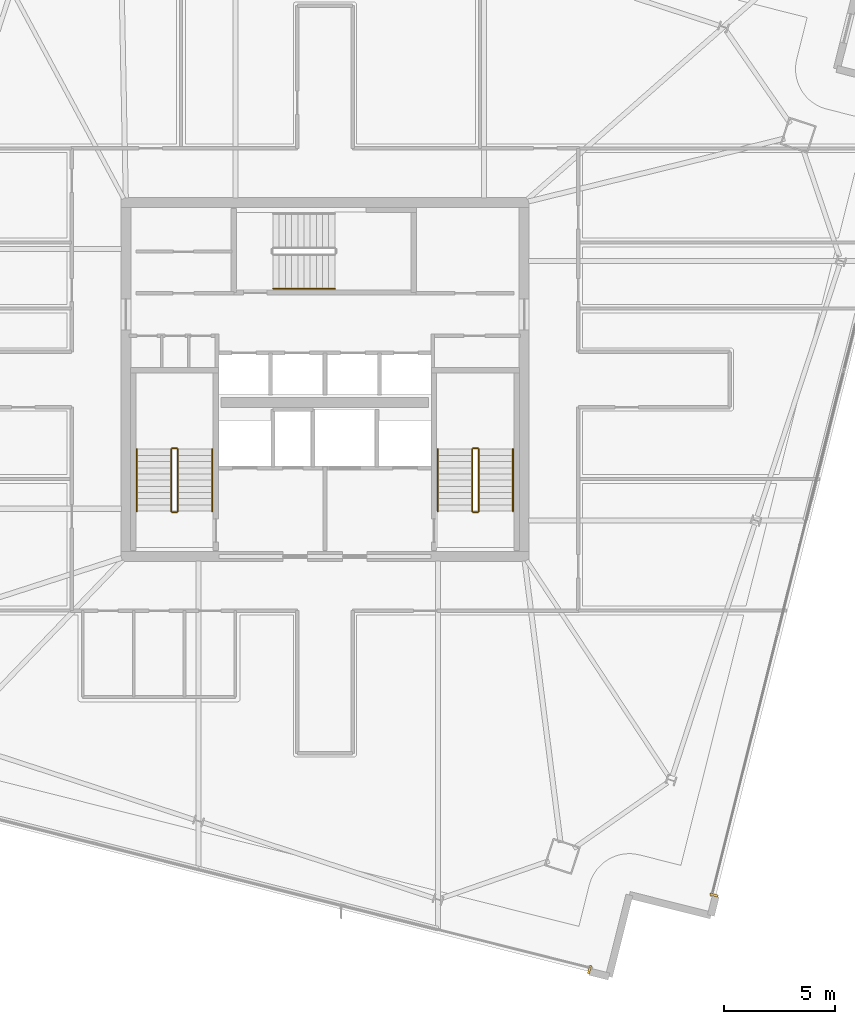
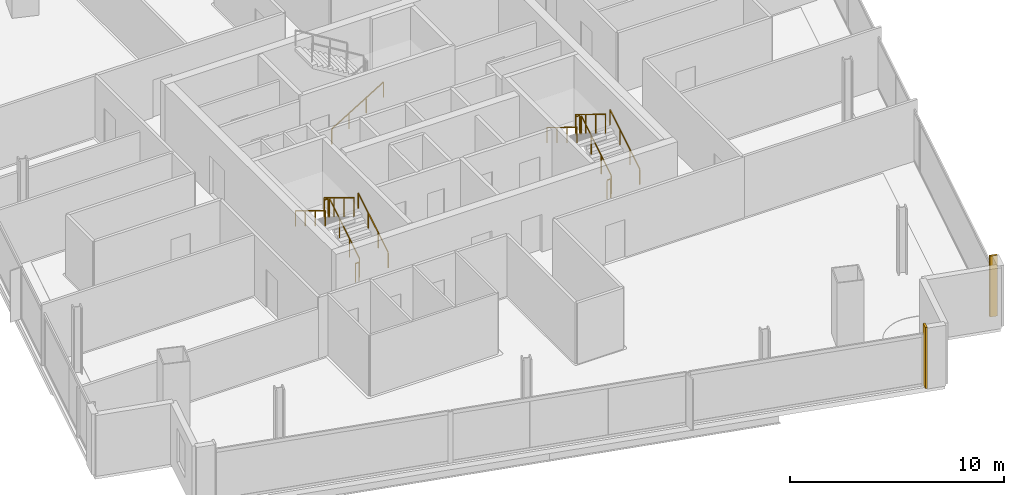
# One storey, part 25 of 28: 13 railings, 2 coverings.
"""IFC4 building model written with IfcOpenShell, lengths in metres."""

from ifc_helpers import new_model, si_unit, direction, frame, origin, origin_2d, place, context, subcontext, project, spatial, rectangle, extrude, source, transform, mapped, material, layer, layer_set, type_object, element, save


model = new_model("IFC4")

# Units and contexts
model_context = context("Model", 3, precision=1e-05, world=origin(), true_north=direction((0.0, 1.0)))
body_context = subcontext(model_context, "Body", "Model", "MODEL_VIEW")
ifc_project = project(units=[si_unit("LENGTHUNIT", "METRE"), si_unit("AREAUNIT", "SQUARE_METRE"), si_unit("VOLUMEUNIT", "CUBIC_METRE"), si_unit("PLANEANGLEUNIT", "RADIAN"), si_unit("MASSUNIT", "GRAM", prefix="KILO")], contexts=[model_context])

# Site, building, storey
site_placement = place(None, origin())
site = spatial("IfcSite", under=ifc_project, at=site_placement, CompositionType="ELEMENT")
building_placement = place(site_placement, origin())
building = spatial("IfcBuilding", under=site, at=building_placement, Name="Haldenkirk Collegiate Tower", CompositionType="ELEMENT")
storey_placement = place(building_placement, frame((0.0, 0.0, 282.449951171875)))
storey = spatial("IfcBuildingStorey", under=building, at=storey_placement, Name="L71", CompositionType="ELEMENT", Elevation=282.449951171875)

# Railings
ifc_material_1 = material(Name="Painted architectural tubular steel", Category="steel")
railing_type_1 = type_object("IfcRailingType", Name="RLG-STAIR-GUARD-1100", PredefinedType="BALUSTRADE", material=ifc_material_1)
railing_1_placement = place(storey_placement, frame((29.35009765625, 20.050048828125, 0.17041015625)))
element("IfcRailing", 1, at=railing_1_placement, inside=storey, type_object=railing_type_1, Name="L71 ST-1 stair guard 1", PredefinedType="BALUSTRADE", context=body_context, shape_type="SweptSolid", body=[
    extrude(rectangle(XDim=0.048095703125, YDim=0.048095703125, at=origin_2d()), frame((0.0, 0.0, 1.076171875), z_axis=(0.0, 0.854169791009, 0.51999420009), x_axis=(-1.0, 0.0, 0.0)), (0.0, 0.0, 1.0), 3.278076171875),
    extrude(rectangle(XDim=0.0419921875, YDim=0.0419921875, at=origin_2d()), origin(), (0.0, 0.0, 1.0), 1.052001953125),
    extrude(rectangle(XDim=0.0419921875, YDim=0.0419921875, at=origin_2d()), frame((0.0, 0.933349609375, 0.568115234375)), (0.0, 0.0, 1.0), 1.052001953125),
    extrude(rectangle(XDim=0.0419921875, YDim=0.0419921875, at=origin_2d()), frame((0.0, 1.86669921875, 1.136474609375)), (0.0, 0.0, 1.0), 1.052001953125),
    extrude(rectangle(XDim=0.0419921875, YDim=0.0419921875, at=origin_2d()), frame((0.0, 2.800048828125, 1.70458984375)), (0.0, 0.0, 1.0), 1.052001953125),
])
railing_2_placement = place(storey_placement, frame((29.300048828125, 22.89990234375, 1.875)))
element("IfcRailing", 2, at=railing_2_placement, inside=storey, type_object=railing_type_1, Name="L71 ST-1 stair guard 2", PredefinedType="BALUSTRADE", context=body_context, shape_type="SweptSolid", body=[
    extrude(rectangle(XDim=0.048095703125, YDim=0.048095703125, at=origin_2d()), frame((0.0, 0.0, 1.076171875), z_axis=(-1.0, 0.0, 0.0), x_axis=(0.0, -1.0, 0.0)), (0.0, 0.0, 1.0), 0.199951171875),
    extrude(rectangle(XDim=0.0419921875, YDim=0.0419921875, at=origin_2d()), origin(), (0.0, 0.0, 1.0), 1.052001953125),
    extrude(rectangle(XDim=0.0419921875, YDim=0.0419921875, at=origin_2d()), frame((-0.199951171875, 0.0, 0.0)), (0.0, 0.0, 1.0), 1.052001953125),
])
railing_3_placement = place(storey_placement, frame((29.050048828125, 22.85009765625, 2.04541015625)))
element("IfcRailing", 3, at=railing_3_placement, inside=storey, type_object=railing_type_1, Name="L71 ST-1 stair guard 3", PredefinedType="BALUSTRADE", context=body_context, shape_type="SweptSolid", body=[
    extrude(rectangle(XDim=0.048095703125, YDim=0.048095703125, at=origin_2d()), frame((0.0, 0.0, 1.076171875), z_axis=(0.0, -0.854169791009, 0.51999420009), x_axis=(1.0, 0.0, 0.0)), (0.0, 0.0, 1.0), 3.278076171875),
    extrude(rectangle(XDim=0.0419921875, YDim=0.0419921875, at=origin_2d()), origin(), (0.0, 0.0, 1.0), 1.052001953125),
    extrude(rectangle(XDim=0.0419921875, YDim=0.0419921875, at=origin_2d()), frame((0.0, -0.933349609375, 0.568115234375)), (0.0, 0.0, 1.0), 1.052001953125),
    extrude(rectangle(XDim=0.0419921875, YDim=0.0419921875, at=origin_2d()), frame((0.0, -1.86669921875, 1.136474609375)), (0.0, 0.0, 1.0), 1.052001953125),
    extrude(rectangle(XDim=0.0419921875, YDim=0.0419921875, at=origin_2d()), frame((0.0, -2.800048828125, 1.70458984375)), (0.0, 0.0, 1.0), 1.052001953125),
])
railing_4_placement = place(storey_placement, frame((29.300048828125, 20.0, 0.0)))
element("IfcRailing", 4, at=railing_4_placement, inside=storey, type_object=railing_type_1, Name="L71 ST-1 stair guard 4", PredefinedType="BALUSTRADE", context=body_context, shape_type="SweptSolid", body=[
    extrude(rectangle(XDim=0.048095703125, YDim=0.048095703125, at=origin_2d()), frame((0.0, 0.0, 1.076171875), z_axis=(-1.0, 0.0, 0.0), x_axis=(0.0, -1.0, 0.0)), (0.0, 0.0, 1.0), 0.199951171875),
    extrude(rectangle(XDim=0.0419921875, YDim=0.0419921875, at=origin_2d()), origin(), (0.0, 0.0, 1.0), 1.052001953125),
    extrude(rectangle(XDim=0.0419921875, YDim=0.0419921875, at=origin_2d()), frame((-0.199951171875, 0.0, 0.0)), (0.0, 0.0, 1.0), 1.052001953125),
])
railing_5_placement = place(storey_placement, frame((42.949951171875, 20.050048828125, 0.17041015625)))
element("IfcRailing", 5, at=railing_5_placement, inside=storey, type_object=railing_type_1, Name="L71 ST-2 stair guard 1", PredefinedType="BALUSTRADE", context=body_context, shape_type="SweptSolid", body=[
    extrude(rectangle(XDim=0.048095703125, YDim=0.048095703125, at=origin_2d()), frame((0.0, 0.0, 1.076171875), z_axis=(0.0, 0.854169791009, 0.51999420009), x_axis=(-1.0, 0.0, 0.0)), (0.0, 0.0, 1.0), 3.278076171875),
    extrude(rectangle(XDim=0.0419921875, YDim=0.0419921875, at=origin_2d()), origin(), (0.0, 0.0, 1.0), 1.052001953125),
    extrude(rectangle(XDim=0.0419921875, YDim=0.0419921875, at=origin_2d()), frame((0.0, 0.933349609375, 0.568115234375)), (0.0, 0.0, 1.0), 1.052001953125),
    extrude(rectangle(XDim=0.0419921875, YDim=0.0419921875, at=origin_2d()), frame((0.0, 1.86669921875, 1.136474609375)), (0.0, 0.0, 1.0), 1.052001953125),
    extrude(rectangle(XDim=0.0419921875, YDim=0.0419921875, at=origin_2d()), frame((0.0, 2.800048828125, 1.70458984375)), (0.0, 0.0, 1.0), 1.052001953125),
])
railing_6_placement = place(storey_placement, frame((42.89990234375, 22.89990234375, 1.875)))
element("IfcRailing", 6, at=railing_6_placement, inside=storey, type_object=railing_type_1, Name="L71 ST-2 stair guard 2", PredefinedType="BALUSTRADE", context=body_context, shape_type="SweptSolid", body=[
    extrude(rectangle(XDim=0.048095703125, YDim=0.048095703125, at=origin_2d()), frame((0.0, 0.0, 1.076171875), z_axis=(-1.0, 0.0, 0.0), x_axis=(0.0, -1.0, 0.0)), (0.0, 0.0, 1.0), 0.199951171875),
    extrude(rectangle(XDim=0.0419921875, YDim=0.0419921875, at=origin_2d()), origin(), (0.0, 0.0, 1.0), 1.052001953125),
    extrude(rectangle(XDim=0.0419921875, YDim=0.0419921875, at=origin_2d()), frame((-0.199951171875, 0.0, 0.0)), (0.0, 0.0, 1.0), 1.052001953125),
])
railing_7_placement = place(storey_placement, frame((42.64990234375, 22.85009765625, 2.04541015625)))
element("IfcRailing", 7, at=railing_7_placement, inside=storey, type_object=railing_type_1, Name="L71 ST-2 stair guard 3", PredefinedType="BALUSTRADE", context=body_context, shape_type="SweptSolid", body=[
    extrude(rectangle(XDim=0.048095703125, YDim=0.048095703125, at=origin_2d()), frame((0.0, 0.0, 1.076171875), z_axis=(0.0, -0.854169791009, 0.51999420009), x_axis=(1.0, 0.0, 0.0)), (0.0, 0.0, 1.0), 3.278076171875),
    extrude(rectangle(XDim=0.0419921875, YDim=0.0419921875, at=origin_2d()), origin(), (0.0, 0.0, 1.0), 1.052001953125),
    extrude(rectangle(XDim=0.0419921875, YDim=0.0419921875, at=origin_2d()), frame((0.0, -0.933349609375, 0.568115234375)), (0.0, 0.0, 1.0), 1.052001953125),
    extrude(rectangle(XDim=0.0419921875, YDim=0.0419921875, at=origin_2d()), frame((0.0, -1.86669921875, 1.136474609375)), (0.0, 0.0, 1.0), 1.052001953125),
    extrude(rectangle(XDim=0.0419921875, YDim=0.0419921875, at=origin_2d()), frame((0.0, -2.800048828125, 1.70458984375)), (0.0, 0.0, 1.0), 1.052001953125),
])
railing_8_placement = place(storey_placement, frame((42.89990234375, 20.0, 0.0)))
element("IfcRailing", 8, at=railing_8_placement, inside=storey, type_object=railing_type_1, Name="L71 ST-2 stair guard 4", PredefinedType="BALUSTRADE", context=body_context, shape_type="SweptSolid", body=[
    extrude(rectangle(XDim=0.048095703125, YDim=0.048095703125, at=origin_2d()), frame((0.0, 0.0, 1.076171875), z_axis=(-1.0, 0.0, 0.0), x_axis=(0.0, -1.0, 0.0)), (0.0, 0.0, 1.0), 0.199951171875),
    extrude(rectangle(XDim=0.0419921875, YDim=0.0419921875, at=origin_2d()), origin(), (0.0, 0.0, 1.0), 1.052001953125),
    extrude(rectangle(XDim=0.0419921875, YDim=0.0419921875, at=origin_2d()), frame((-0.199951171875, 0.0, 0.0)), (0.0, 0.0, 1.0), 1.052001953125),
])
railing_type_2 = type_object("IfcRailingType", Name="RLG-STAIR-HANDRAIL-900", PredefinedType="HANDRAIL", material=ifc_material_1)
railing_9_placement = place(storey_placement, frame((30.89990234375, 20.050048828125, 0.17041015625)))
element("IfcRailing", 9, at=railing_9_placement, inside=storey, type_object=railing_type_2, Name="L71 ST-1 stair handrail 1", PredefinedType="HANDRAIL", context=body_context, shape_type="SweptSolid", body=[
    extrude(rectangle(XDim=0.048095703125, YDim=0.048095703125, at=origin_2d()), frame((0.0, 0.0, 0.8759765625), z_axis=(0.0, 0.854169791009, 0.51999420009), x_axis=(-1.0, 0.0, 0.0)), (0.0, 0.0, 1.0), 3.278076171875),
    extrude(rectangle(XDim=0.0419921875, YDim=0.0419921875, at=origin_2d()), origin(), (0.0, 0.0, 1.0), 0.851806640625),
    extrude(rectangle(XDim=0.0419921875, YDim=0.0419921875, at=origin_2d()), frame((0.0, 0.933349609375, 0.568115234375)), (0.0, 0.0, 1.0), 0.851806640625),
    extrude(rectangle(XDim=0.0419921875, YDim=0.0419921875, at=origin_2d()), frame((0.0, 1.86669921875, 1.136474609375)), (0.0, 0.0, 1.0), 0.851806640625),
    extrude(rectangle(XDim=0.0419921875, YDim=0.0419921875, at=origin_2d()), frame((0.0, 2.800048828125, 1.70458984375)), (0.0, 0.0, 1.0), 0.851806640625),
])
railing_10_placement = place(storey_placement, frame((27.5, 22.85009765625, 2.04541015625)))
element("IfcRailing", 10, at=railing_10_placement, inside=storey, type_object=railing_type_2, Name="L71 ST-1 stair handrail 2", PredefinedType="HANDRAIL", context=body_context, shape_type="SweptSolid", body=[
    extrude(rectangle(XDim=0.048095703125, YDim=0.048095703125, at=origin_2d()), frame((0.0, 0.0, 0.8759765625), z_axis=(0.0, -0.854169791009, 0.51999420009), x_axis=(1.0, 0.0, 0.0)), (0.0, 0.0, 1.0), 3.278076171875),
    extrude(rectangle(XDim=0.0419921875, YDim=0.0419921875, at=origin_2d()), origin(), (0.0, 0.0, 1.0), 0.851806640625),
    extrude(rectangle(XDim=0.0419921875, YDim=0.0419921875, at=origin_2d()), frame((0.0, -0.933349609375, 0.568115234375)), (0.0, 0.0, 1.0), 0.851806640625),
    extrude(rectangle(XDim=0.0419921875, YDim=0.0419921875, at=origin_2d()), frame((0.0, -1.86669921875, 1.136474609375)), (0.0, 0.0, 1.0), 0.851806640625),
    extrude(rectangle(XDim=0.0419921875, YDim=0.0419921875, at=origin_2d()), frame((0.0, -2.800048828125, 1.70458984375)), (0.0, 0.0, 1.0), 0.851806640625),
])
railing_11_placement = place(storey_placement, frame((44.5, 20.050048828125, 0.17041015625)))
element("IfcRailing", 11, at=railing_11_placement, inside=storey, type_object=railing_type_2, Name="L71 ST-2 stair handrail 1", PredefinedType="HANDRAIL", context=body_context, shape_type="SweptSolid", body=[
    extrude(rectangle(XDim=0.048095703125, YDim=0.048095703125, at=origin_2d()), frame((0.0, 0.0, 0.8759765625), z_axis=(0.0, 0.854169791009, 0.51999420009), x_axis=(-1.0, 0.0, 0.0)), (0.0, 0.0, 1.0), 3.278076171875),
    extrude(rectangle(XDim=0.0419921875, YDim=0.0419921875, at=origin_2d()), origin(), (0.0, 0.0, 1.0), 0.851806640625),
    extrude(rectangle(XDim=0.0419921875, YDim=0.0419921875, at=origin_2d()), frame((0.0, 0.933349609375, 0.568115234375)), (0.0, 0.0, 1.0), 0.851806640625),
    extrude(rectangle(XDim=0.0419921875, YDim=0.0419921875, at=origin_2d()), frame((0.0, 1.86669921875, 1.136474609375)), (0.0, 0.0, 1.0), 0.851806640625),
    extrude(rectangle(XDim=0.0419921875, YDim=0.0419921875, at=origin_2d()), frame((0.0, 2.800048828125, 1.70458984375)), (0.0, 0.0, 1.0), 0.851806640625),
])
railing_12_placement = place(storey_placement, frame((41.10009765625, 22.85009765625, 2.04541015625)))
element("IfcRailing", 12, at=railing_12_placement, inside=storey, type_object=railing_type_2, Name="L71 ST-2 stair handrail 2", PredefinedType="HANDRAIL", context=body_context, shape_type="SweptSolid", body=[
    extrude(rectangle(XDim=0.048095703125, YDim=0.048095703125, at=origin_2d()), frame((0.0, 0.0, 0.8759765625), z_axis=(0.0, -0.854169791009, 0.51999420009), x_axis=(1.0, 0.0, 0.0)), (0.0, 0.0, 1.0), 3.278076171875),
    extrude(rectangle(XDim=0.0419921875, YDim=0.0419921875, at=origin_2d()), origin(), (0.0, 0.0, 1.0), 0.851806640625),
    extrude(rectangle(XDim=0.0419921875, YDim=0.0419921875, at=origin_2d()), frame((0.0, -0.933349609375, 0.568115234375)), (0.0, 0.0, 1.0), 0.851806640625),
    extrude(rectangle(XDim=0.0419921875, YDim=0.0419921875, at=origin_2d()), frame((0.0, -1.86669921875, 1.136474609375)), (0.0, 0.0, 1.0), 0.851806640625),
    extrude(rectangle(XDim=0.0419921875, YDim=0.0419921875, at=origin_2d()), frame((0.0, -2.800048828125, 1.70458984375)), (0.0, 0.0, 1.0), 0.851806640625),
])
railing_13_placement = place(storey_placement, frame((33.64990234375, 30.10009765625, 0.17041015625)))
element("IfcRailing", 13, at=railing_13_placement, inside=storey, type_object=railing_type_2, Name="L71 ST-3 stair handrail 1", PredefinedType="HANDRAIL", context=body_context, shape_type="SweptSolid", body=[
    extrude(rectangle(XDim=0.048095703125, YDim=0.048095703125, at=origin_2d()), frame((0.0, 0.0, 0.8759765625), z_axis=(0.854169791009, 0.0, 0.51999420009), x_axis=(0.0, 1.0, 0.0)), (0.0, 0.0, 1.0), 3.278076171875),
    extrude(rectangle(XDim=0.0419921875, YDim=0.0419921875, at=origin_2d()), origin(), (0.0, 0.0, 1.0), 0.851806640625),
    extrude(rectangle(XDim=0.0419921875, YDim=0.0419921875, at=origin_2d()), frame((0.933349609375, 0.0, 0.568115234375)), (0.0, 0.0, 1.0), 0.851806640625),
    extrude(rectangle(XDim=0.0419921875, YDim=0.0419921875, at=origin_2d()), frame((1.86669921875, 0.0, 1.136474609375)), (0.0, 0.0, 1.0), 0.851806640625),
    extrude(rectangle(XDim=0.0419921875, YDim=0.0419921875, at=origin_2d()), frame((2.800048828125, 0.0, 1.70458984375)), (0.0, 0.0, 1.0), 0.851806640625),
])

# Coverings
ifc_material_2 = material(Name="Anodised architectural bronze aluminium", Category="aluminium")
ifc_layer = layer(ifc_material_2, 0.06005859375)
ifc_layer_set = layer_set([ifc_layer], Name="Anodised architectural bronze aluminium")
covering_type = type_object("IfcCoveringType", Name="COV-CLAD-BRONZE-60", PredefinedType="CLADDING", material=ifc_layer_set)
shared_shape = source(origin(), body_context, "Body", "SweptSolid", [
    extrude(rectangle(XDim=0.10009765625, YDim=0.3798828125, at=origin_2d()), origin(), (0.0, 0.0, 1.0), 3.47998046875),
])
for number, where, z_axis, x_axis, name in (
    (14, (53.5869140625, 2.693359375, 0.0), (0.0, 0.0, 1.0), (-0.243615011786, -0.969872015285, 0.0), "L71 recessed curtain-wall bronze jamb closure SJR"),
    (15, (47.956298828125, -0.676513671875, 0.0), (0.0, 0.0, 1.0), (-0.969872015285, 0.243615011786, 0.0), "L71 recessed curtain-wall bronze jamb closure WJL"),
):
    element("IfcCovering", number, at=place(storey_placement, frame(where, z_axis=z_axis, x_axis=x_axis)), inside=storey, type_object=covering_type, Name=name, PredefinedType="CLADDING", context=body_context, shape_type="MappedRepresentation", body=[
        mapped(shared_shape, transform((0.0, 0.0, 0.0), x_axis=(1.0, 0.0, 0.0), y_axis=(0.0, 1.0, 0.0), z_axis=(0.0, 0.0, 1.0), scale=1.0)),
    ])

save(model, "model.ifc")
